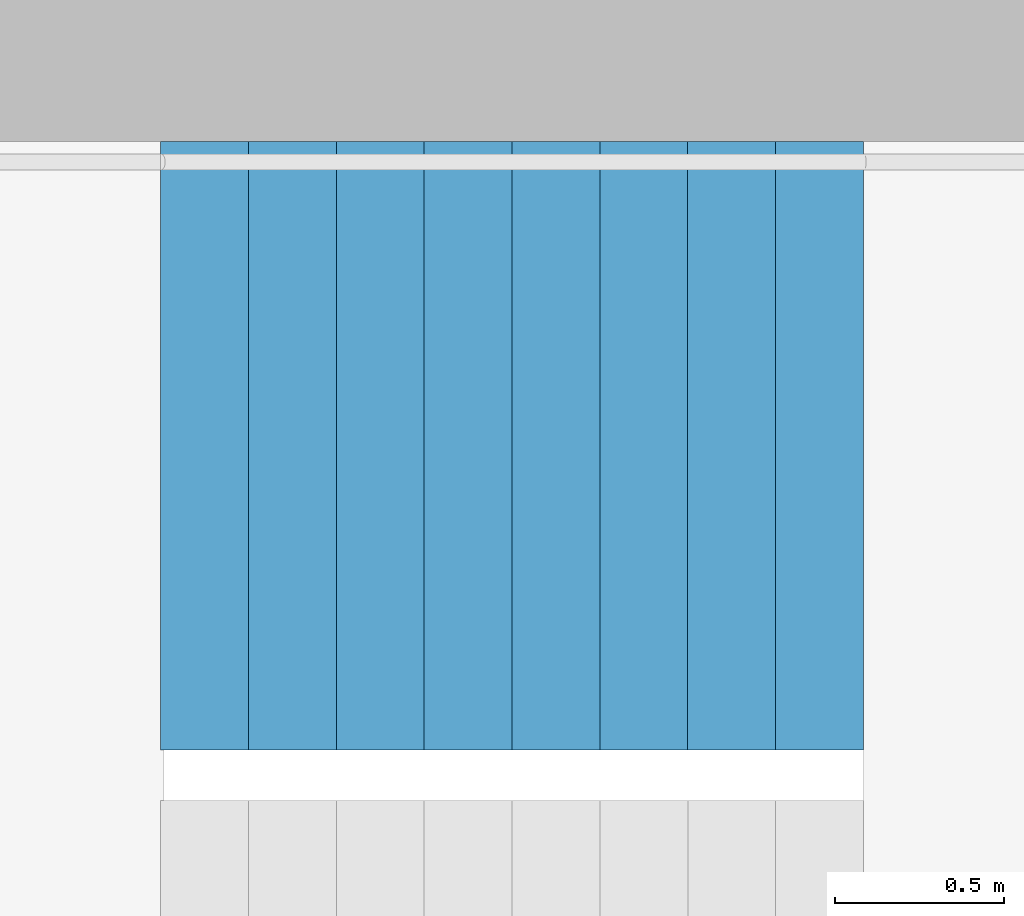
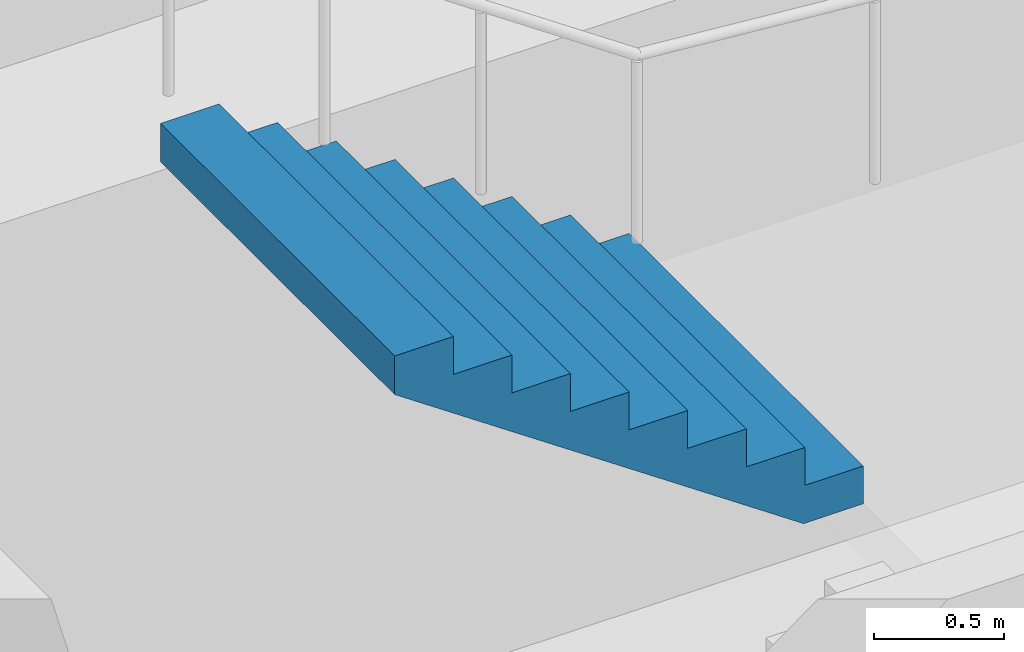
# One storey, part 25 of 37: 1 stair flight, 1 element without a shape of its own.
"""IFC4 building model written with IfcOpenShell, lengths in metres."""

from ifc_helpers import new_model, si_unit, direction, frame, origin, place, context, subcontext, project, spatial, triangles, material, type_object, element, aggregate, save


model = new_model("IFC4")

# Units and contexts
model_context = context("Model", 3, precision=1e-05, world=origin(), true_north=direction((0.0, 1.0)))
body_context = subcontext(model_context, "Body", "Model", "MODEL_VIEW")
ifc_project = project(units=[si_unit("LENGTHUNIT", "METRE"), si_unit("AREAUNIT", "SQUARE_METRE"), si_unit("VOLUMEUNIT", "CUBIC_METRE"), si_unit("PLANEANGLEUNIT", "RADIAN"), si_unit("MASSUNIT", "GRAM", prefix="KILO")], contexts=[model_context])

# Site, building, storey
site_placement = place(None, origin())
site = spatial("IfcSite", under=ifc_project, at=site_placement, CompositionType="ELEMENT")
building_placement = place(site_placement, origin())
building = spatial("IfcBuilding", under=site, at=building_placement, Name="Hakoniwa Tower and Hamabe Station Hall", CompositionType="ELEMENT")
storey_placement = place(building_placement, frame((0.0, 0.0, 39.0)))
storey = spatial("IfcBuildingStorey", under=building, at=storey_placement, Name="L10", CompositionType="ELEMENT", Elevation=39.0)

# Stair, stair flight
ifc_material_1 = material(Name="Concrete C40", Category="concrete")
stair_type = type_object("IfcStairType", Name="ESCAPE STAIR 1800", PredefinedType="HALF_TURN_STAIR", material=ifc_material_1)
stair_placement = place(storey_placement, origin())
stair = element("IfcStair", 1, at=stair_placement, inside=storey, type_object=stair_type, Name="Escape stair ST-1 L10", PredefinedType="HALF_TURN_STAIR")
ifc_material_2 = material(Name="Concrete C40", Category="concrete")
stair_flight_type = type_object("IfcStairFlightType", Name="STAIR FLIGHT 1800", PredefinedType="STRAIGHT", material=ifc_material_2)
stair_flight_placement = place(storey_placement, frame((-22.320068359375, 6.60009765625, 1.60009765625), z_axis=(0.0, 0.0, 1.0), x_axis=(-1.0, 0.0, 0.0)))
stair_flight = element("IfcStairFlight", 2, at=stair_flight_placement, type_object=stair_flight_type, Name="ST-1 flight 2", NumberOfRisers=9, NumberOfTreads=8, PredefinedType="STRAIGHT", RiserHeight=0.177777778, TreadLength=0.26, context=body_context, shape_type="Tessellation", body=[
    triangles([(0.0, 0.89990234375, 0.0), (0.260009765625, 0.89990234375, 0.0), (0.265625, 0.89990234375, 0.0), (0.52001953125, 0.89990234375, 0.174072265625), (0.780029296875, 0.89990234375, 0.351806640625), (1.0400390625, 0.89990234375, 0.529541015625), (1.300048828125, 0.89990234375, 0.707275390625), (1.56005859375, 0.89990234375, 0.885009765625), (1.820068359375, 0.89990234375, 1.062744140625), (2.080078125, 0.89990234375, 1.24072265625), (2.080078125, 0.89990234375, 1.422119140625), (1.820068359375, 0.89990234375, 1.422119140625), (1.820068359375, 0.89990234375, 1.244384765625), (1.56005859375, 0.89990234375, 1.244384765625), (1.56005859375, 0.89990234375, 1.066650390625), (1.300048828125, 0.89990234375, 1.066650390625), (1.300048828125, 0.89990234375, 0.888916015625), (1.0400390625, 0.89990234375, 0.888916015625), (1.0400390625, 0.89990234375, 0.711181640625), (0.780029296875, 0.89990234375, 0.711181640625), (0.780029296875, 0.89990234375, 0.533447265625), (0.52001953125, 0.89990234375, 0.533447265625), (0.52001953125, 0.89990234375, 0.35546875), (0.265625, 0.89990234375, 0.35546875), (0.260009765625, 0.89990234375, 0.35546875), (0.260009765625, 0.89990234375, 0.177734375), (0.0, 0.89990234375, 0.177734375), (0.0, 0.06005859375, 0.0), (0.260009765625, 0.06005859375, 0.0), (0.265625, 0.06005859375, 0.0), (0.52001953125, 0.06005859375, 0.174072265625), (0.780029296875, 0.06005859375, 0.351806640625), (1.0400390625, 0.06005859375, 0.529541015625), (1.300048828125, 0.06005859375, 0.707275390625), (1.56005859375, 0.06005859375, 0.885009765625), (1.820068359375, 0.06005859375, 1.062744140625), (2.080078125, 0.06005859375, 1.24072265625), (2.080078125, 0.06005859375, 1.422119140625), (1.820068359375, 0.06005859375, 1.422119140625), (1.820068359375, 0.06005859375, 1.244384765625), (1.56005859375, 0.06005859375, 1.244384765625), (1.56005859375, 0.06005859375, 1.066650390625), (1.300048828125, 0.06005859375, 1.066650390625), (1.300048828125, 0.06005859375, 0.888916015625), (1.0400390625, 0.06005859375, 0.888916015625), (1.0400390625, 0.06005859375, 0.711181640625), (0.780029296875, 0.06005859375, 0.711181640625), (0.780029296875, 0.06005859375, 0.533447265625), (0.52001953125, 0.06005859375, 0.533447265625), (0.52001953125, 0.06005859375, 0.35546875), (0.265625, 0.06005859375, 0.35546875), (0.260009765625, 0.06005859375, 0.35546875), (0.260009765625, 0.06005859375, 0.177734375), (0.0, 0.06005859375, 0.177734375), (0.0, 0.04296875, 0.0), (0.260009765625, 0.04296875, 0.0), (0.265625, 0.04296875, 0.0), (0.52001953125, 0.04296875, 0.174072265625), (0.780029296875, 0.04296875, 0.351806640625), (1.0400390625, 0.04296875, 0.529541015625), (1.300048828125, 0.04296875, 0.707275390625), (1.56005859375, 0.04296875, 0.885009765625), (1.820068359375, 0.04296875, 1.062744140625), (2.080078125, 0.04296875, 1.24072265625), (2.080078125, 0.04296875, 1.422119140625), (1.820068359375, 0.04296875, 1.422119140625), (1.820068359375, 0.04296875, 1.244384765625), (1.56005859375, 0.04296875, 1.244384765625), (1.56005859375, 0.04296875, 1.066650390625), (1.300048828125, 0.04296875, 1.066650390625), (1.300048828125, 0.04296875, 0.888916015625), (1.0400390625, 0.04296875, 0.888916015625), (1.0400390625, 0.04296875, 0.711181640625), (0.780029296875, 0.04296875, 0.711181640625), (0.780029296875, 0.04296875, 0.533447265625), (0.52001953125, 0.04296875, 0.533447265625), (0.52001953125, 0.04296875, 0.35546875), (0.265625, 0.04296875, 0.35546875), (0.260009765625, 0.04296875, 0.35546875), (0.260009765625, 0.04296875, 0.177734375), (0.0, 0.04296875, 0.177734375), (0.0, 0.025634765625, 0.0), (0.260009765625, 0.025634765625, 0.0), (0.265625, 0.025634765625, 0.0), (0.52001953125, 0.025634765625, 0.174072265625), (0.780029296875, 0.025634765625, 0.351806640625), (1.0400390625, 0.025634765625, 0.529541015625), (1.300048828125, 0.025634765625, 0.707275390625), (1.56005859375, 0.025634765625, 0.885009765625), (1.820068359375, 0.025634765625, 1.062744140625), (2.080078125, 0.025634765625, 1.24072265625), (2.080078125, 0.025634765625, 1.422119140625), (1.820068359375, 0.025634765625, 1.422119140625), (1.820068359375, 0.025634765625, 1.244384765625), (1.56005859375, 0.025634765625, 1.244384765625), (1.56005859375, 0.025634765625, 1.066650390625), (1.300048828125, 0.025634765625, 1.066650390625), (1.300048828125, 0.025634765625, 0.888916015625), (1.0400390625, 0.025634765625, 0.888916015625), (1.0400390625, 0.025634765625, 0.711181640625), (0.780029296875, 0.025634765625, 0.711181640625), (0.780029296875, 0.025634765625, 0.533447265625), (0.52001953125, 0.025634765625, 0.533447265625), (0.52001953125, 0.025634765625, 0.35546875), (0.265625, 0.025634765625, 0.35546875), (0.260009765625, 0.025634765625, 0.35546875), (0.260009765625, 0.025634765625, 0.177734375), (0.0, 0.025634765625, 0.177734375), (0.0, 0.008544921875, 0.0), (0.260009765625, 0.008544921875, 0.0), (0.265625, 0.008544921875, 0.0), (0.52001953125, 0.008544921875, 0.174072265625), (0.780029296875, 0.008544921875, 0.351806640625), (1.0400390625, 0.008544921875, 0.529541015625), (1.300048828125, 0.008544921875, 0.707275390625), (1.56005859375, 0.008544921875, 0.885009765625), (1.820068359375, 0.008544921875, 1.062744140625), (2.080078125, 0.008544921875, 1.24072265625), (2.080078125, 0.008544921875, 1.422119140625), (1.820068359375, 0.008544921875, 1.422119140625), (1.820068359375, 0.008544921875, 1.244384765625), (1.56005859375, 0.008544921875, 1.244384765625), (1.56005859375, 0.008544921875, 1.066650390625), (1.300048828125, 0.008544921875, 1.066650390625), (1.300048828125, 0.008544921875, 0.888916015625), (1.0400390625, 0.008544921875, 0.888916015625), (1.0400390625, 0.008544921875, 0.711181640625), (0.780029296875, 0.008544921875, 0.711181640625), (0.780029296875, 0.008544921875, 0.533447265625), (0.52001953125, 0.008544921875, 0.533447265625), (0.52001953125, 0.008544921875, 0.35546875), (0.265625, 0.008544921875, 0.35546875), (0.260009765625, 0.008544921875, 0.35546875), (0.260009765625, 0.008544921875, 0.177734375), (0.0, 0.008544921875, 0.177734375), (0.0, -0.008544921875, 0.0), (0.260009765625, -0.008544921875, 0.0), (0.265625, -0.008544921875, 0.0), (0.52001953125, -0.008544921875, 0.174072265625), (0.780029296875, -0.008544921875, 0.351806640625), (1.0400390625, -0.008544921875, 0.529541015625), (1.300048828125, -0.008544921875, 0.707275390625), (1.56005859375, -0.008544921875, 0.885009765625), (1.820068359375, -0.008544921875, 1.062744140625), (2.080078125, -0.008544921875, 1.24072265625), (2.080078125, -0.008544921875, 1.422119140625), (1.820068359375, -0.008544921875, 1.422119140625), (1.820068359375, -0.008544921875, 1.244384765625), (1.56005859375, -0.008544921875, 1.244384765625), (1.56005859375, -0.008544921875, 1.066650390625), (1.300048828125, -0.008544921875, 1.066650390625), (1.300048828125, -0.008544921875, 0.888916015625), (1.0400390625, -0.008544921875, 0.888916015625), (1.0400390625, -0.008544921875, 0.711181640625), (0.780029296875, -0.008544921875, 0.711181640625), (0.780029296875, -0.008544921875, 0.533447265625), (0.52001953125, -0.008544921875, 0.533447265625), (0.52001953125, -0.008544921875, 0.35546875), (0.265625, -0.008544921875, 0.35546875), (0.260009765625, -0.008544921875, 0.35546875), (0.260009765625, -0.008544921875, 0.177734375), (0.0, -0.008544921875, 0.177734375), (0.0, -0.025634765625, 0.0), (0.260009765625, -0.025634765625, 0.0), (0.265625, -0.025634765625, 0.0), (0.52001953125, -0.025634765625, 0.174072265625), (0.780029296875, -0.025634765625, 0.351806640625), (1.0400390625, -0.025634765625, 0.529541015625), (1.300048828125, -0.025634765625, 0.707275390625), (1.56005859375, -0.025634765625, 0.885009765625), (1.820068359375, -0.025634765625, 1.062744140625), (2.080078125, -0.025634765625, 1.24072265625), (2.080078125, -0.025634765625, 1.422119140625), (1.820068359375, -0.025634765625, 1.422119140625), (1.820068359375, -0.025634765625, 1.244384765625), (1.56005859375, -0.025634765625, 1.244384765625), (1.56005859375, -0.025634765625, 1.066650390625), (1.300048828125, -0.025634765625, 1.066650390625), (1.300048828125, -0.025634765625, 0.888916015625), (1.0400390625, -0.025634765625, 0.888916015625), (1.0400390625, -0.025634765625, 0.711181640625), (0.780029296875, -0.025634765625, 0.711181640625), (0.780029296875, -0.025634765625, 0.533447265625), (0.52001953125, -0.025634765625, 0.533447265625), (0.52001953125, -0.025634765625, 0.35546875), (0.265625, -0.025634765625, 0.35546875), (0.260009765625, -0.025634765625, 0.35546875), (0.260009765625, -0.025634765625, 0.177734375), (0.0, -0.025634765625, 0.177734375), (0.0, -0.04296875, 0.0), (0.260009765625, -0.04296875, 0.0), (0.265625, -0.04296875, 0.0), (0.52001953125, -0.04296875, 0.174072265625), (0.780029296875, -0.04296875, 0.351806640625), (1.0400390625, -0.04296875, 0.529541015625), (1.300048828125, -0.04296875, 0.707275390625), (1.56005859375, -0.04296875, 0.885009765625), (1.820068359375, -0.04296875, 1.062744140625), (2.080078125, -0.04296875, 1.24072265625), (2.080078125, -0.04296875, 1.422119140625), (1.820068359375, -0.04296875, 1.422119140625), (1.820068359375, -0.04296875, 1.244384765625), (1.56005859375, -0.04296875, 1.244384765625), (1.56005859375, -0.04296875, 1.066650390625), (1.300048828125, -0.04296875, 1.066650390625), (1.300048828125, -0.04296875, 0.888916015625), (1.0400390625, -0.04296875, 0.888916015625), (1.0400390625, -0.04296875, 0.711181640625), (0.780029296875, -0.04296875, 0.711181640625), (0.780029296875, -0.04296875, 0.533447265625), (0.52001953125, -0.04296875, 0.533447265625), (0.52001953125, -0.04296875, 0.35546875), (0.265625, -0.04296875, 0.35546875), (0.260009765625, -0.04296875, 0.35546875), (0.260009765625, -0.04296875, 0.177734375), (0.0, -0.04296875, 0.177734375), (0.0, -0.06005859375, 0.0), (0.260009765625, -0.06005859375, 0.0), (0.265625, -0.06005859375, 0.0), (0.52001953125, -0.06005859375, 0.174072265625), (0.780029296875, -0.06005859375, 0.351806640625), (1.0400390625, -0.06005859375, 0.529541015625), (1.300048828125, -0.06005859375, 0.707275390625), (1.56005859375, -0.06005859375, 0.885009765625), (1.820068359375, -0.06005859375, 1.062744140625), (2.080078125, -0.06005859375, 1.24072265625), (2.080078125, -0.06005859375, 1.422119140625), (1.820068359375, -0.06005859375, 1.422119140625), (1.820068359375, -0.06005859375, 1.244384765625), (1.56005859375, -0.06005859375, 1.244384765625), (1.56005859375, -0.06005859375, 1.066650390625), (1.300048828125, -0.06005859375, 1.066650390625), (1.300048828125, -0.06005859375, 0.888916015625), (1.0400390625, -0.06005859375, 0.888916015625), (1.0400390625, -0.06005859375, 0.711181640625), (0.780029296875, -0.06005859375, 0.711181640625), (0.780029296875, -0.06005859375, 0.533447265625), (0.52001953125, -0.06005859375, 0.533447265625), (0.52001953125, -0.06005859375, 0.35546875), (0.265625, -0.06005859375, 0.35546875), (0.260009765625, -0.06005859375, 0.35546875), (0.260009765625, -0.06005859375, 0.177734375), (0.0, -0.06005859375, 0.177734375), (0.0, -0.89990234375, 0.0), (0.260009765625, -0.89990234375, 0.0), (0.265625, -0.89990234375, 0.0), (0.52001953125, -0.89990234375, 0.174072265625), (0.780029296875, -0.89990234375, 0.351806640625), (1.0400390625, -0.89990234375, 0.529541015625), (1.300048828125, -0.89990234375, 0.707275390625), (1.56005859375, -0.89990234375, 0.885009765625), (1.820068359375, -0.89990234375, 1.062744140625), (2.080078125, -0.89990234375, 1.24072265625), (2.080078125, -0.89990234375, 1.422119140625), (1.820068359375, -0.89990234375, 1.422119140625), (1.820068359375, -0.89990234375, 1.244384765625), (1.56005859375, -0.89990234375, 1.244384765625), (1.56005859375, -0.89990234375, 1.066650390625), (1.300048828125, -0.89990234375, 1.066650390625), (1.300048828125, -0.89990234375, 0.888916015625), (1.0400390625, -0.89990234375, 0.888916015625), (1.0400390625, -0.89990234375, 0.711181640625), (0.780029296875, -0.89990234375, 0.711181640625), (0.780029296875, -0.89990234375, 0.533447265625), (0.52001953125, -0.89990234375, 0.533447265625), (0.52001953125, -0.89990234375, 0.35546875), (0.265625, -0.89990234375, 0.35546875), (0.260009765625, -0.89990234375, 0.35546875), (0.260009765625, -0.89990234375, 0.177734375), (0.0, -0.89990234375, 0.177734375)], [[2, 27, 26], [245, 269, 270], [2, 1, 27], [245, 270, 244], [3, 25, 24], [246, 267, 268], [3, 26, 25], [246, 268, 269], [3, 2, 26], [246, 269, 245], [4, 24, 23], [247, 266, 267], [4, 3, 24], [247, 267, 246], [5, 22, 21], [248, 264, 265], [5, 23, 22], [248, 265, 266], [5, 4, 23], [248, 266, 247], [6, 20, 19], [249, 262, 263], [6, 21, 20], [249, 263, 264], [6, 5, 21], [249, 264, 248], [7, 18, 17], [250, 260, 261], [7, 19, 18], [250, 261, 262], [7, 6, 19], [250, 262, 249], [8, 16, 15], [251, 258, 259], [8, 17, 16], [251, 259, 260], [8, 7, 17], [251, 260, 250], [9, 14, 13], [252, 256, 257], [9, 15, 14], [252, 257, 258], [9, 8, 15], [252, 258, 251], [10, 12, 11], [253, 254, 255], [10, 13, 12], [253, 255, 256], [10, 9, 13], [253, 256, 252], [1, 2, 29], [1, 29, 28], [28, 29, 56], [28, 56, 55], [55, 56, 83], [55, 83, 82], [82, 83, 110], [82, 110, 109], [109, 110, 137], [109, 137, 136], [136, 137, 164], [136, 164, 163], [163, 164, 191], [163, 191, 190], [190, 191, 218], [190, 218, 217], [217, 218, 245], [217, 245, 244], [2, 3, 30], [2, 30, 29], [29, 30, 57], [29, 57, 56], [56, 57, 84], [56, 84, 83], [83, 84, 111], [83, 111, 110], [110, 111, 138], [110, 138, 137], [137, 138, 165], [137, 165, 164], [164, 165, 192], [164, 192, 191], [191, 192, 219], [191, 219, 218], [218, 219, 246], [218, 246, 245], [3, 4, 31], [3, 31, 30], [30, 31, 58], [30, 58, 57], [57, 58, 85], [57, 85, 84], [84, 85, 112], [84, 112, 111], [111, 112, 139], [111, 139, 138], [138, 139, 166], [138, 166, 165], [165, 166, 193], [165, 193, 192], [192, 193, 220], [192, 220, 219], [219, 220, 247], [219, 247, 246], [4, 5, 32], [4, 32, 31], [31, 32, 59], [31, 59, 58], [58, 59, 86], [58, 86, 85], [85, 86, 113], [85, 113, 112], [112, 113, 140], [112, 140, 139], [139, 140, 167], [139, 167, 166], [166, 167, 194], [166, 194, 193], [193, 194, 221], [193, 221, 220], [220, 221, 248], [220, 248, 247], [5, 6, 33], [5, 33, 32], [32, 33, 60], [32, 60, 59], [59, 60, 87], [59, 87, 86], [86, 87, 114], [86, 114, 113], [113, 114, 141], [113, 141, 140], [140, 141, 168], [140, 168, 167], [167, 168, 195], [167, 195, 194], [194, 195, 222], [194, 222, 221], [221, 222, 249], [221, 249, 248], [6, 7, 34], [6, 34, 33], [33, 34, 61], [33, 61, 60], [60, 61, 88], [60, 88, 87], [87, 88, 115], [87, 115, 114], [114, 115, 142], [114, 142, 141], [141, 142, 169], [141, 169, 168], [168, 169, 196], [168, 196, 195], [195, 196, 223], [195, 223, 222], [222, 223, 250], [222, 250, 249], [7, 8, 35], [7, 35, 34], [34, 35, 62], [34, 62, 61], [61, 62, 89], [61, 89, 88], [88, 89, 116], [88, 116, 115], [115, 116, 143], [115, 143, 142], [142, 143, 170], [142, 170, 169], [169, 170, 197], [169, 197, 196], [196, 197, 224], [196, 224, 223], [223, 224, 251], [223, 251, 250], [8, 9, 36], [8, 36, 35], [35, 36, 63], [35, 63, 62], [62, 63, 90], [62, 90, 89], [89, 90, 117], [89, 117, 116], [116, 117, 144], [116, 144, 143], [143, 144, 171], [143, 171, 170], [170, 171, 198], [170, 198, 197], [197, 198, 225], [197, 225, 224], [224, 225, 252], [224, 252, 251], [9, 10, 37], [9, 37, 36], [36, 37, 64], [36, 64, 63], [63, 64, 91], [63, 91, 90], [90, 91, 118], [90, 118, 117], [117, 118, 145], [117, 145, 144], [144, 145, 172], [144, 172, 171], [171, 172, 199], [171, 199, 198], [198, 199, 226], [198, 226, 225], [225, 226, 253], [225, 253, 252], [10, 11, 38], [10, 38, 37], [37, 38, 65], [37, 65, 64], [64, 65, 92], [64, 92, 91], [91, 92, 119], [91, 119, 118], [118, 119, 146], [118, 146, 145], [145, 146, 173], [145, 173, 172], [172, 173, 200], [172, 200, 199], [199, 200, 227], [199, 227, 226], [226, 227, 254], [226, 254, 253], [11, 12, 39], [11, 39, 38], [38, 39, 66], [38, 66, 65], [65, 66, 93], [65, 93, 92], [92, 93, 120], [92, 120, 119], [119, 120, 147], [119, 147, 146], [146, 147, 174], [146, 174, 173], [173, 174, 201], [173, 201, 200], [200, 201, 228], [200, 228, 227], [227, 228, 255], [227, 255, 254], [12, 13, 40], [12, 40, 39], [39, 40, 67], [39, 67, 66], [66, 67, 94], [66, 94, 93], [93, 94, 121], [93, 121, 120], [120, 121, 148], [120, 148, 147], [147, 148, 175], [147, 175, 174], [174, 175, 202], [174, 202, 201], [201, 202, 229], [201, 229, 228], [228, 229, 256], [228, 256, 255], [13, 14, 41], [13, 41, 40], [40, 41, 68], [40, 68, 67], [67, 68, 95], [67, 95, 94], [94, 95, 122], [94, 122, 121], [121, 122, 149], [121, 149, 148], [148, 149, 176], [148, 176, 175], [175, 176, 203], [175, 203, 202], [202, 203, 230], [202, 230, 229], [229, 230, 257], [229, 257, 256], [14, 15, 42], [14, 42, 41], [41, 42, 69], [41, 69, 68], [68, 69, 96], [68, 96, 95], [95, 96, 123], [95, 123, 122], [122, 123, 150], [122, 150, 149], [149, 150, 177], [149, 177, 176], [176, 177, 204], [176, 204, 203], [203, 204, 231], [203, 231, 230], [230, 231, 258], [230, 258, 257], [15, 16, 43], [15, 43, 42], [42, 43, 70], [42, 70, 69], [69, 70, 97], [69, 97, 96], [96, 97, 124], [96, 124, 123], [123, 124, 151], [123, 151, 150], [150, 151, 178], [150, 178, 177], [177, 178, 205], [177, 205, 204], [204, 205, 232], [204, 232, 231], [231, 232, 259], [231, 259, 258], [16, 17, 44], [16, 44, 43], [43, 44, 71], [43, 71, 70], [70, 71, 98], [70, 98, 97], [97, 98, 125], [97, 125, 124], [124, 125, 152], [124, 152, 151], [151, 152, 179], [151, 179, 178], [178, 179, 206], [178, 206, 205], [205, 206, 233], [205, 233, 232], [232, 233, 260], [232, 260, 259], [17, 18, 45], [17, 45, 44], [44, 45, 72], [44, 72, 71], [71, 72, 99], [71, 99, 98], [98, 99, 126], [98, 126, 125], [125, 126, 153], [125, 153, 152], [152, 153, 180], [152, 180, 179], [179, 180, 207], [179, 207, 206], [206, 207, 234], [206, 234, 233], [233, 234, 261], [233, 261, 260], [18, 19, 46], [18, 46, 45], [45, 46, 73], [45, 73, 72], [72, 73, 100], [72, 100, 99], [99, 100, 127], [99, 127, 126], [126, 127, 154], [126, 154, 153], [153, 154, 181], [153, 181, 180], [180, 181, 208], [180, 208, 207], [207, 208, 235], [207, 235, 234], [234, 235, 262], [234, 262, 261], [19, 20, 47], [19, 47, 46], [46, 47, 74], [46, 74, 73], [73, 74, 101], [73, 101, 100], [100, 101, 128], [100, 128, 127], [127, 128, 155], [127, 155, 154], [154, 155, 182], [154, 182, 181], [181, 182, 209], [181, 209, 208], [208, 209, 236], [208, 236, 235], [235, 236, 263], [235, 263, 262], [20, 21, 48], [20, 48, 47], [47, 48, 75], [47, 75, 74], [74, 75, 102], [74, 102, 101], [101, 102, 129], [101, 129, 128], [128, 129, 156], [128, 156, 155], [155, 156, 183], [155, 183, 182], [182, 183, 210], [182, 210, 209], [209, 210, 237], [209, 237, 236], [236, 237, 264], [236, 264, 263], [21, 22, 49], [21, 49, 48], [48, 49, 76], [48, 76, 75], [75, 76, 103], [75, 103, 102], [102, 103, 130], [102, 130, 129], [129, 130, 157], [129, 157, 156], [156, 157, 184], [156, 184, 183], [183, 184, 211], [183, 211, 210], [210, 211, 238], [210, 238, 237], [237, 238, 265], [237, 265, 264], [22, 23, 50], [22, 50, 49], [49, 50, 77], [49, 77, 76], [76, 77, 104], [76, 104, 103], [103, 104, 131], [103, 131, 130], [130, 131, 158], [130, 158, 157], [157, 158, 185], [157, 185, 184], [184, 185, 212], [184, 212, 211], [211, 212, 239], [211, 239, 238], [238, 239, 266], [238, 266, 265], [23, 24, 51], [23, 51, 50], [50, 51, 78], [50, 78, 77], [77, 78, 105], [77, 105, 104], [104, 105, 132], [104, 132, 131], [131, 132, 159], [131, 159, 158], [158, 159, 186], [158, 186, 185], [185, 186, 213], [185, 213, 212], [212, 213, 240], [212, 240, 239], [239, 240, 267], [239, 267, 266], [24, 25, 52], [24, 52, 51], [51, 52, 79], [51, 79, 78], [78, 79, 106], [78, 106, 105], [105, 106, 133], [105, 133, 132], [132, 133, 160], [132, 160, 159], [159, 160, 187], [159, 187, 186], [186, 187, 214], [186, 214, 213], [213, 214, 241], [213, 241, 240], [240, 241, 268], [240, 268, 267], [25, 26, 53], [25, 53, 52], [52, 53, 80], [52, 80, 79], [79, 80, 107], [79, 107, 106], [106, 107, 134], [106, 134, 133], [133, 134, 161], [133, 161, 160], [160, 161, 188], [160, 188, 187], [187, 188, 215], [187, 215, 214], [214, 215, 242], [214, 242, 241], [241, 242, 269], [241, 269, 268], [26, 27, 54], [26, 54, 53], [53, 54, 81], [53, 81, 80], [80, 81, 108], [80, 108, 107], [107, 108, 135], [107, 135, 134], [134, 135, 162], [134, 162, 161], [161, 162, 189], [161, 189, 188], [188, 189, 216], [188, 216, 215], [215, 216, 243], [215, 243, 242], [242, 243, 270], [242, 270, 269], [27, 1, 28], [27, 28, 54], [54, 28, 55], [54, 55, 81], [81, 55, 82], [81, 82, 108], [108, 82, 109], [108, 109, 135], [135, 109, 136], [135, 136, 162], [162, 136, 163], [162, 163, 189], [189, 163, 190], [189, 190, 216], [216, 190, 217], [216, 217, 243], [243, 217, 244], [243, 244, 270]], closed=True),
])
aggregate(stair, [stair_flight])

save(model, "model.ifc")
